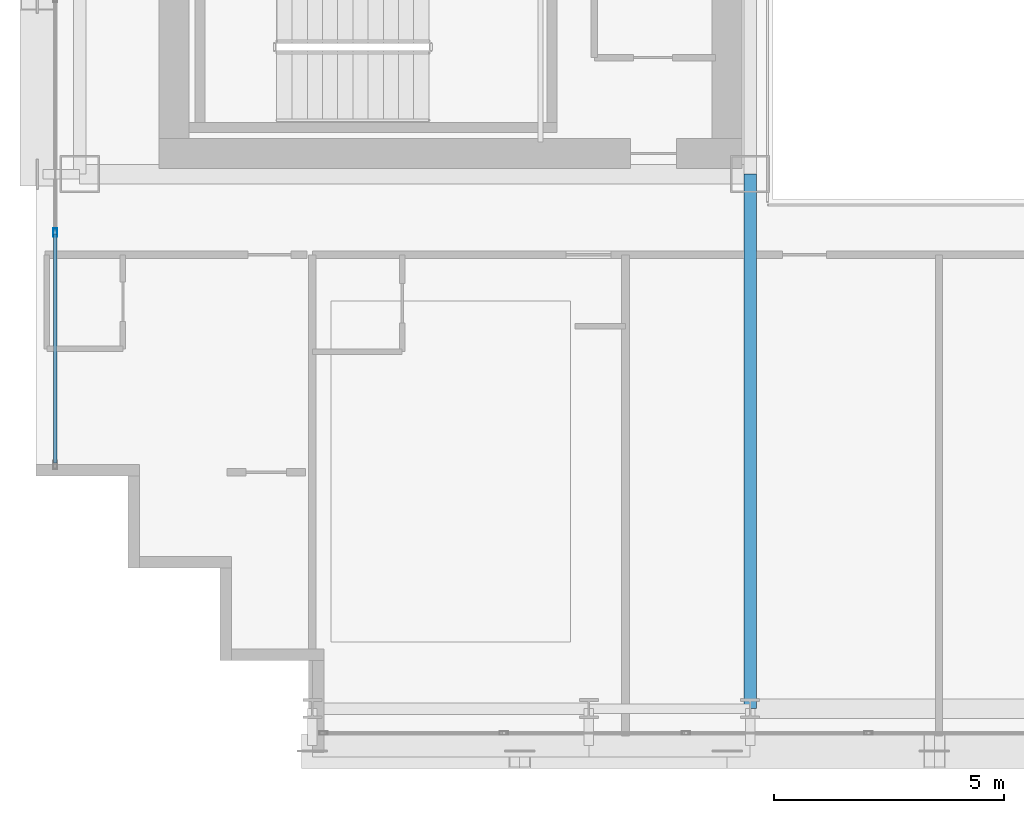
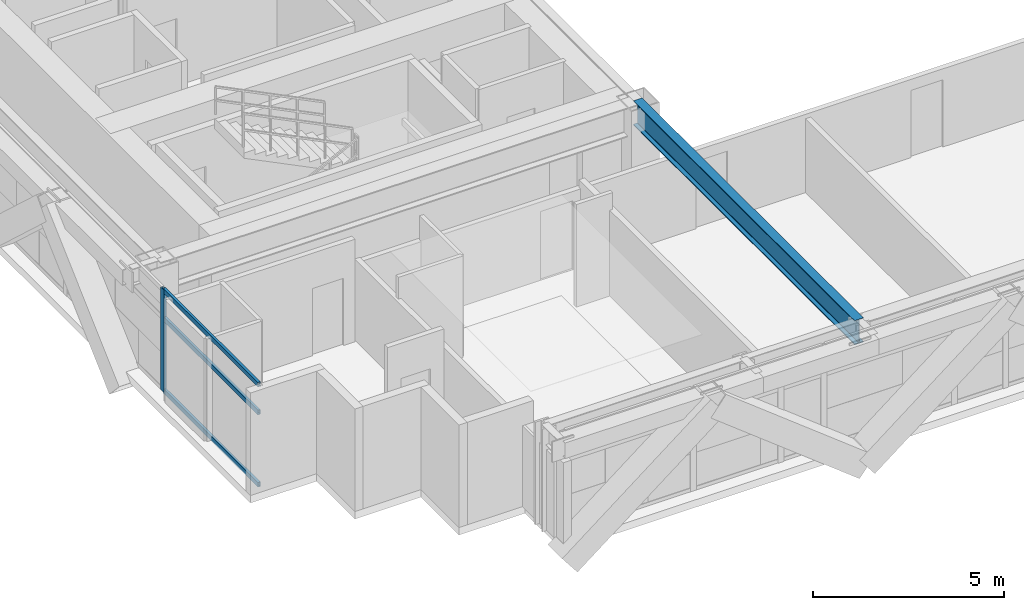
# One storey, part 3 of 36: 4 members, 1 beam, 1 element without a shape of its own.
"""IFC4 building model written with IfcOpenShell, lengths in metres."""

from ifc_helpers import new_model, si_unit, direction, frame, origin, origin_2d, place, context, subcontext, project, spatial, hollow_rectangle, i_section, extrude, source, transform, mapped, material, layer, layer_set, material_profile, profile_set, type_object, element, aggregate, save


model = new_model("IFC4")

# Units and contexts
model_context = context("Model", 3, precision=1e-05, world=origin(), true_north=direction((0.0, 1.0)))
body_context = subcontext(model_context, "Body", "Model", "MODEL_VIEW")
ifc_project = project(units=[si_unit("LENGTHUNIT", "METRE"), si_unit("AREAUNIT", "SQUARE_METRE"), si_unit("VOLUMEUNIT", "CUBIC_METRE"), si_unit("PLANEANGLEUNIT", "RADIAN"), si_unit("MASSUNIT", "GRAM", prefix="KILO")], contexts=[model_context])

# Site, building, storey
site_placement = place(None, origin())
site = spatial("IfcSite", under=ifc_project, at=site_placement, CompositionType="ELEMENT")
building_placement = place(site_placement, origin())
building = spatial("IfcBuilding", under=site, at=building_placement, Name="Ocotamira Hotel", CompositionType="ELEMENT")
storey_placement = place(building_placement, frame((0.0, 0.0, 147.60009765625)))
storey = spatial("IfcBuildingStorey", under=building, at=storey_placement, Name="L37", CompositionType="ELEMENT", Elevation=147.60009765625)

# Beam
ifc_material_1 = material(Name="Steel ASTM A992 Grade 50", Category="steel")
ifc_material_profile_1 = material_profile(ifc_material_1, i_section(OverallWidth=0.26611328125, OverallDepth=0.779052734375, WebThickness=0.0166015625, FlangeThickness=0.030029296875, FilletRadius=0.01806640625, at=origin_2d()), Name="W30X148")
ifc_profile_set_1 = profile_set([ifc_material_profile_1], Name="Steel ASTM A992 Grade 50")
beam_type = type_object("IfcBeamType", Name="BM-GIRD-W30X148", PredefinedType="BEAM", material=ifc_profile_set_1)
shared_shape_1 = source(origin(), body_context, "Body", "SweptSolid", [
    extrude(i_section(OverallWidth=0.26611328125, OverallDepth=0.779052734375, WebThickness=0.0166015625, FlangeThickness=0.030029296875, FilletRadius=0.01806640625, at=origin_2d()), origin(), (0.0, 0.0, 1.0), 11.60009765625),
])
beam_placement = place(storey_placement, frame((23.5, 2.949951171875, 2.890380859375), z_axis=(0.0, 1.0, 0.0), x_axis=(-1.0, 0.0, 0.0)))
element("IfcBeam", 1, at=beam_placement, inside=storey, type_object=beam_type, Name="L37 Beam X23.5 Y2.95-14.55", PredefinedType="BEAM", context=body_context, shape_type="MappedRepresentation", body=[
    mapped(shared_shape_1, transform((0.0, 0.0, 0.0), scale=1.0)),
])

# Curtain wall, members
ifc_material_2 = material(Name="Anodised pale-metal aluminium and solar glass", Category="aluminium")
ifc_layer = layer(ifc_material_2, 0.179931640625)
ifc_layer_set = layer_set([ifc_layer], Name="Anodised pale-metal aluminium and solar glass")
curtain_wall_type = type_object("IfcCurtainWallType", Name="CW-SYS3-Z2", PredefinedType="NOTDEFINED", material=ifc_layer_set)
curtain_wall_placement = place(storey_placement, origin())
curtain_wall = element("IfcCurtainWall", 2, at=curtain_wall_placement, inside=storey, type_object=curtain_wall_type, Name="L37 Curtain Wall CW-3 CW-L37-W", PredefinedType="NOTDEFINED")
ifc_material_3 = material(Name="Anodised pale-metal aluminium 6063-T6", Category="aluminium")
ifc_material_profile_2 = material_profile(ifc_material_3, hollow_rectangle(XDim=0.074951171875, YDim=0.14990234375, WallThickness=0.006103515625, at=origin_2d()), Name="HSS150X75X6")
ifc_profile_set_2 = profile_set([ifc_material_profile_2], Name="Anodised pale-metal aluminium 6063-T6")
member_type_1 = type_object("IfcMemberType", Name="CWT-150X75", PredefinedType="USERDEFINED", material=ifc_profile_set_2)
shared_shape_2 = source(origin(), body_context, "Body", "SweptSolid", [
    extrude(hollow_rectangle(XDim=0.074951171875, YDim=0.14990234375, WallThickness=0.006103515625, at=origin_2d()), origin(), (0.0, 0.0, 1.0), 4.965576171875),
])
member_1_placement = place(storey_placement, frame((8.419921875, 8.280029296875, 0.037353515625), z_axis=(0.0, 1.0, 0.0), x_axis=(-1.0, 0.0, 0.0)))
member_1 = element("IfcMember", 3, at=member_1_placement, type_object=member_type_1, Name="CW-3 transom 1.1", ObjectType="TRANSOM", PredefinedType="USERDEFINED", context=body_context, shape_type="MappedRepresentation", body=[
    mapped(shared_shape_2, transform((0.0, 0.0, 0.0), scale=1.0)),
])
member_2_placement = place(storey_placement, frame((8.419921875, 8.280029296875, 2.349853515625), z_axis=(0.0, 1.0, 0.0), x_axis=(-1.0, 0.0, 0.0)))
member_2 = element("IfcMember", 4, at=member_2_placement, type_object=member_type_1, Name="CW-3 transom 1.2", ObjectType="TRANSOM", PredefinedType="USERDEFINED", context=body_context, shape_type="MappedRepresentation", body=[
    mapped(shared_shape_2, transform((0.0, 0.0, 0.0), scale=1.0)),
])
member_3_placement = place(storey_placement, frame((8.419921875, 8.280029296875, 3.242431640625), z_axis=(0.0, 1.0, 0.0), x_axis=(-1.0, 0.0, 0.0)))
member_3 = element("IfcMember", 5, at=member_3_placement, type_object=member_type_1, Name="CW-3 transom 1.3", ObjectType="TRANSOM", PredefinedType="USERDEFINED", context=body_context, shape_type="MappedRepresentation", body=[
    mapped(shared_shape_2, transform((0.0, 0.0, 0.0), scale=1.0)),
])
ifc_material_profile_3 = material_profile(ifc_material_3, hollow_rectangle(XDim=0.080078125, YDim=0.179931640625, WallThickness=0.006103515625, at=origin_2d()), Name="HSS180X80X6")
ifc_profile_set_3 = profile_set([ifc_material_profile_3], Name="Anodised pale-metal aluminium 6063-T6")
member_type_2 = type_object("IfcMemberType", Name="CWM-180X75", PredefinedType="MULLION", material=ifc_profile_set_3)
shared_shape_3 = source(origin(), body_context, "Body", "SweptSolid", [
    extrude(hollow_rectangle(XDim=0.080078125, YDim=0.179931640625, WallThickness=0.006103515625, at=origin_2d()), origin(), (0.0, 0.0, 1.0), 3.27978515625),
])
member_4_placement = place(storey_placement, frame((8.419921875, 13.28564453125, 0.0), z_axis=(0.0, 0.0, 1.0), x_axis=(-1.0, 0.0, 0.0)))
member_4 = element("IfcMember", 6, at=member_4_placement, type_object=member_type_2, Name="CW-3 mullion 2", PredefinedType="MULLION", context=body_context, shape_type="MappedRepresentation", body=[
    mapped(shared_shape_3, transform((0.0, 0.0, 0.0), scale=1.0)),
])
aggregate(curtain_wall, [member_4, member_1, member_2, member_3])

save(model, "model.ifc")
